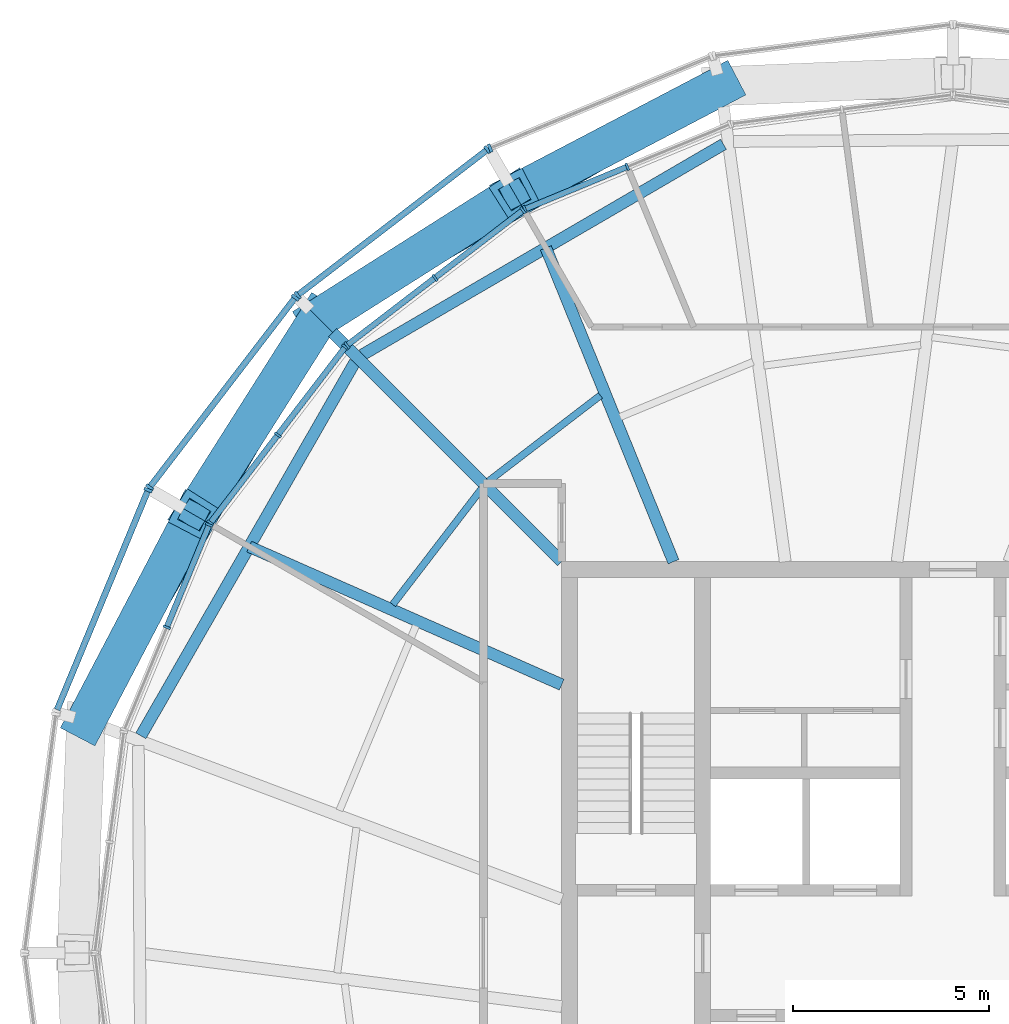
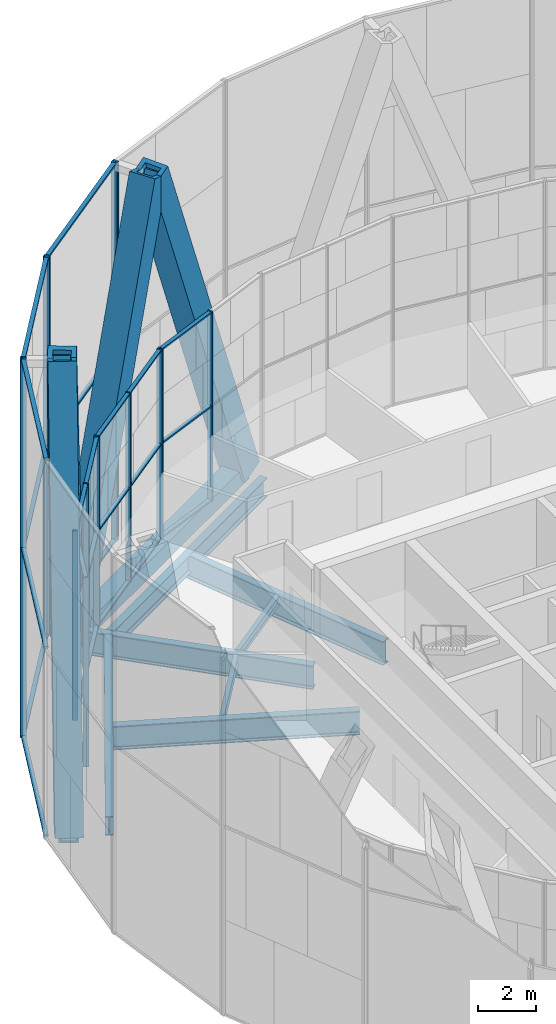
# One storey, part 6 of 22: 47 members, 9 beams, 8 elements without a shape of their own.
"""IFC4 building model written with IfcOpenShell, lengths in metres."""

from ifc_helpers import new_model, si_unit, direction, frame, origin, origin_2d, place, context, subcontext, project, spatial, rectangle, hollow_rectangle, i_section, extrude, material, material_profile, profile_set, type_object, element, aggregate, save


model = new_model("IFC4")

# Units and contexts
model_context = context("Model", 3, precision=1e-05, world=origin(), true_north=direction((0.0, 1.0)))
body_context = subcontext(model_context, "Body", "Model", "MODEL_VIEW")
ifc_project = project(units=[si_unit("LENGTHUNIT", "METRE"), si_unit("AREAUNIT", "SQUARE_METRE"), si_unit("VOLUMEUNIT", "CUBIC_METRE"), si_unit("PLANEANGLEUNIT", "RADIAN"), si_unit("MASSUNIT", "GRAM", prefix="KILO")], contexts=[model_context])

# Site, building, storey
site_placement = place(None, origin())
site = spatial("IfcSite", under=ifc_project, at=site_placement, CompositionType="ELEMENT")
building_placement = place(site_placement, origin())
building = spatial("IfcBuilding", under=site, at=building_placement, Name="Golbaran Civic Tower", CompositionType="ELEMENT")
storey_placement = place(building_placement, frame((0.0, 0.0, 264.0)))
storey = spatial("IfcBuildingStorey", under=building, at=storey_placement, Name="L64", CompositionType="ELEMENT", Elevation=264.0)

# Members
ifc_material_1 = material(Name="Steel S355", Category="steel")
ifc_material_profile_1 = material_profile(ifc_material_1, hollow_rectangle(XDim=1.0, YDim=1.0, WallThickness=0.179931640625, at=origin_2d()), Name="BOX 1000x1000x180")
ifc_profile_set_1 = profile_set([ifc_material_profile_1], Name="Steel S355")
member_type_1 = type_object("IfcMemberType", Name="DIAGRID DIAGONAL BOX 1000x1000x180", PredefinedType="BRACE", material=ifc_profile_set_1)
for number, where, z_axis, x_axis, name in (
    (1, (-5.936767578125, 22.156494140625, -0.7099609375), (-0.308371574219, -0.161566793339, 0.937445008256), (0.464094506505, -0.885785690239, 0.0), "Diagonal D15-03R L64-L68"),
    (2, (-16.2197265625, 16.2197265625, -0.7099609375), (-0.186270223703, -0.294110126675, 0.937444738184), (0.844818456458, -0.535053058703, 0.0), "Diagonal D15-04R L64-L68"),
    (3, (-16.2197265625, 16.2197265625, -0.7099609375), (0.294110126675, 0.186270223703, 0.937444738184), (-0.535053058703, 0.844818456458, 0.0), "Diagonal D15-04L L64-L68"),
    (4, (-22.156494140625, 5.936767578125, -0.7099609375), (0.161566793339, 0.308371574219, 0.937445008256), (-0.885785690239, 0.464094506505, 0.0), "Diagonal D15-05L L64-L68"),
):
    element("IfcMember", number, at=place(storey_placement, frame(where, z_axis=z_axis, x_axis=x_axis)), inside=storey, type_object=member_type_1, Name=name, PredefinedType="BRACE", context=body_context, shape_type="SweptSolid", body=[
        extrude(hollow_rectangle(XDim=1.0, YDim=1.0, WallThickness=0.179931640625, at=origin_2d()), origin(), (0.0, 0.0, 1.0), 17.067626953125),
    ])

# Beams
ifc_material_profile_2 = material_profile(ifc_material_1, hollow_rectangle(XDim=0.699951171875, YDim=0.699951171875, WallThickness=0.080078125, at=origin_2d()), Name="BOX 700x700x80")
ifc_profile_set_2 = profile_set([ifc_material_profile_2], Name="Steel S355")
beam_type_1 = type_object("IfcBeamType", Name="DIAGRID RING TIE BOX 700x700x80", PredefinedType="BEAM", material=ifc_profile_set_2)
for number, where, z_axis, x_axis, name in (
    (5, (-5.936767578125, 22.156494140625, -0.7099609375), (-0.866029107461, -0.499993584989, 0.0), (0.499993584989, -0.866029107461, 0.0), "Ring tie 105.00 L64"),
    (6, (-16.2197265625, 16.2197265625, -0.7099609375), (-0.499993584989, -0.866029107461, 0.0), (0.866029107461, -0.499993584989, 0.0), "Ring tie 135.00 L64"),
):
    element("IfcBeam", number, at=place(storey_placement, frame(where, z_axis=z_axis, x_axis=x_axis)), inside=storey, type_object=beam_type_1, Name=name, PredefinedType="BEAM", context=body_context, shape_type="SweptSolid", body=[
        extrude(hollow_rectangle(XDim=0.699951171875, YDim=0.699951171875, WallThickness=0.080078125, at=origin_2d()), origin(), (0.0, 0.0, 1.0), 11.873779296875),
    ])
ifc_material_profile_3 = material_profile(ifc_material_1, i_section(OverallWidth=0.300048828125, OverallDepth=0.800048828125, WebThickness=0.017578125, FlangeThickness=0.032958984375, FilletRadius=0.030029296875, at=origin_2d()), Name="HEB 800")
ifc_profile_set_3 = profile_set([ifc_material_profile_3], Name="Steel S355")
beam_type_2 = type_object("IfcBeamType", Name="EDGE BEAM HEB 800", PredefinedType="BEAM", material=ifc_profile_set_3)
beam_1_placement = place(storey_placement, frame((-5.865966796875, 20.669677734375, -0.60009765625), z_axis=(-0.863922987029, -0.503623939544, 0.0), x_axis=(0.503623939544, -0.863922987029, 0.0)))
element("IfcBeam", 7, at=beam_1_placement, inside=storey, type_object=beam_type_2, Name="Edge beam 105.00 L64", PredefinedType="BEAM", context=body_context, shape_type="SweptSolid", body=[
    extrude(i_section(OverallWidth=0.300048828125, OverallDepth=0.800048828125, WebThickness=0.017578125, FlangeThickness=0.032958984375, FilletRadius=0.030029296875, at=origin_2d()), origin(), (0.0, 0.0, 1.0), 10.690673828125),
])
beam_2_placement = place(storey_placement, frame((-15.284912109375, 15.10107421875, -0.60009765625), z_axis=(-0.497196700226, -0.867637851459, 0.0), x_axis=(0.867637851459, -0.497196700226, 0.0)))
element("IfcBeam", 8, at=beam_2_placement, inside=storey, type_object=beam_type_2, Name="Edge beam 135.00 L64", PredefinedType="BEAM", context=body_context, shape_type="SweptSolid", body=[
    extrude(i_section(OverallWidth=0.300048828125, OverallDepth=0.800048828125, WebThickness=0.017578125, FlangeThickness=0.032958984375, FilletRadius=0.030029296875, at=origin_2d()), origin(), (0.0, 0.0, 1.0), 11.007568359375),
])
ifc_material_profile_4 = material_profile(ifc_material_1, i_section(OverallWidth=0.179931640625, OverallDepth=0.39990234375, WebThickness=0.008544921875, FlangeThickness=0.013427734375, FilletRadius=0.02099609375, at=origin_2d()), Name="IPE 400")
ifc_profile_set_4 = profile_set([ifc_material_profile_4], Name="Steel S355")
beam_type_3 = type_object("IfcBeamType", Name="FLOOR INFILL BEAM IPE 400", PredefinedType="BEAM", material=ifc_profile_set_4)
beam_3_placement = place(storey_placement, frame((-9.011962890625, 14.250732421875, -0.39990234375), z_axis=(-0.793386142334, -0.60871867817, 0.0), x_axis=(0.60871867817, -0.793386142334, 0.0)))
element("IfcBeam", 9, at=beam_3_placement, inside=storey, type_object=beam_type_3, Name="Infill beam 127.50 L64", PredefinedType="BEAM", context=body_context, shape_type="SweptSolid", body=[
    extrude(i_section(OverallWidth=0.179931640625, OverallDepth=0.39990234375, WebThickness=0.008544921875, FlangeThickness=0.013427734375, FilletRadius=0.02099609375, at=origin_2d()), origin(), (0.0, 0.0, 1.0), 3.605224609375),
])
beam_4_placement = place(storey_placement, frame((-12.048583984375, 11.86474609375, -0.39990234375), z_axis=(-0.608732534768, -0.793375510786, 0.0), x_axis=(0.793375510786, -0.608732534768, 0.0)))
element("IfcBeam", 10, at=beam_4_placement, inside=storey, type_object=beam_type_3, Name="Infill beam 142.50 L64", PredefinedType="BEAM", context=body_context, shape_type="SweptSolid", body=[
    extrude(i_section(OverallWidth=0.179931640625, OverallDepth=0.39990234375, WebThickness=0.008544921875, FlangeThickness=0.013427734375, FilletRadius=0.02099609375, at=origin_2d()), origin(), (0.0, 0.0, 1.0), 3.728759765625),
])

# Curtain wall, members
ifc_material_2 = material(Name="Aluminium and glass", Category="aluminium")
curtain_wall_type_1 = type_object("IfcCurtainWallType", Name="INNER SKIN CURTAIN WALL EXECUTIVE", PredefinedType="NOTDEFINED", material=ifc_material_2)
curtain_wall_1_placement = place(storey_placement, origin())
curtain_wall_1 = element("IfcCurtainWall", 11, at=curtain_wall_1_placement, inside=storey, type_object=curtain_wall_type_1, Name="Inner skin L64 facet 8 CW2", ObjectType="INNER SKIN", PredefinedType="USERDEFINED")
ifc_material_3 = material(Name="Aluminium", Category="aluminium")
ifc_material_profile_5 = material_profile(ifc_material_3, rectangle(XDim=0.199951171875, YDim=0.06005859375, at=origin_2d()), Name="INNER SKIN CURTAIN WALL EXECUTIVE MULLION")
ifc_profile_set_5 = profile_set([ifc_material_profile_5], Name="Aluminium")
member_type_2 = type_object("IfcMemberType", Name="INNER SKIN CURTAIN WALL EXECUTIVE MULLION", PredefinedType="MULLION", material=ifc_profile_set_5)
member_1_placement = place(storey_placement, frame((-8.323974609375, 20.095703125, 0.0), z_axis=(0.0, 0.0, 1.0), x_axis=(0.382683432349, -0.923879532518, 0.0)))
member_1 = element("IfcMember", 12, at=member_1_placement, type_object=member_type_2, Name="CW2 mullion 2", PredefinedType="MULLION", context=body_context, shape_type="SweptSolid", body=[
    extrude(rectangle(XDim=0.199951171875, YDim=0.06005859375, at=origin_2d()), origin(), (0.0, 0.0, 1.0), 8.0),
])
member_2_placement = place(storey_placement, frame((-10.94189453125, 19.01123046875, 0.0), z_axis=(0.0, 0.0, 1.0), x_axis=(0.382683432349, -0.923879532518, 0.0)))
member_2 = element("IfcMember", 13, at=member_2_placement, type_object=member_type_2, Name="CW2 mullion 3", PredefinedType="MULLION", context=body_context, shape_type="SweptSolid", body=[
    extrude(rectangle(XDim=0.199951171875, YDim=0.06005859375, at=origin_2d()), origin(), (0.0, 0.0, 1.0), 8.0),
])

curtain_wall_2_placement = place(storey_placement, origin())
curtain_wall_2 = element("IfcCurtainWall", 14, at=curtain_wall_2_placement, inside=storey, type_object=curtain_wall_type_1, Name="Inner skin L64 facet 9 CW2", ObjectType="INNER SKIN", PredefinedType="USERDEFINED")
member_3_placement = place(storey_placement, frame((-10.993408203125, 18.9814453125, 0.0), z_axis=(0.0, 0.0, 1.0), x_axis=(0.608761429133, -0.793353340196, 0.0)))
member_3 = element("IfcMember", 15, at=member_3_placement, type_object=member_type_2, Name="CW2 mullion 1", PredefinedType="MULLION", context=body_context, shape_type="SweptSolid", body=[
    extrude(rectangle(XDim=0.199951171875, YDim=0.06005859375, at=origin_2d()), origin(), (0.0, 0.0, 1.0), 8.0),
])
member_4_placement = place(storey_placement, frame((-13.241455078125, 17.256591796875, 0.0), z_axis=(0.0, 0.0, 1.0), x_axis=(0.608761429133, -0.793353340196, 0.0)))
member_4 = element("IfcMember", 16, at=member_4_placement, type_object=member_type_2, Name="CW2 mullion 2", PredefinedType="MULLION", context=body_context, shape_type="SweptSolid", body=[
    extrude(rectangle(XDim=0.199951171875, YDim=0.06005859375, at=origin_2d()), origin(), (0.0, 0.0, 1.0), 8.0),
])
member_5_placement = place(storey_placement, frame((-15.489501953125, 15.531494140625, 0.0), z_axis=(0.0, 0.0, 1.0), x_axis=(0.608761429133, -0.793353340196, 0.0)))
member_5 = element("IfcMember", 17, at=member_5_placement, type_object=member_type_2, Name="CW2 mullion 3", PredefinedType="MULLION", context=body_context, shape_type="SweptSolid", body=[
    extrude(rectangle(XDim=0.199951171875, YDim=0.06005859375, at=origin_2d()), origin(), (0.0, 0.0, 1.0), 8.0),
])

curtain_wall_3_placement = place(storey_placement, origin())
curtain_wall_3 = element("IfcCurtainWall", 18, at=curtain_wall_3_placement, inside=storey, type_object=curtain_wall_type_1, Name="Inner skin L64 facet 10 CW2", ObjectType="INNER SKIN", PredefinedType="USERDEFINED")
member_6_placement = place(storey_placement, frame((-15.531494140625, 15.489501953125, 0.0), z_axis=(0.0, 0.0, 1.0), x_axis=(0.793353340196, -0.608761429133, 0.0)))
member_6 = element("IfcMember", 19, at=member_6_placement, type_object=member_type_2, Name="CW2 mullion 1", PredefinedType="MULLION", context=body_context, shape_type="SweptSolid", body=[
    extrude(rectangle(XDim=0.199951171875, YDim=0.06005859375, at=origin_2d()), origin(), (0.0, 0.0, 1.0), 8.0),
])
member_7_placement = place(storey_placement, frame((-17.256591796875, 13.241455078125, 0.0), z_axis=(0.0, 0.0, 1.0), x_axis=(0.793353340196, -0.608761429133, 0.0)))
member_7 = element("IfcMember", 20, at=member_7_placement, type_object=member_type_2, Name="CW2 mullion 2", PredefinedType="MULLION", context=body_context, shape_type="SweptSolid", body=[
    extrude(rectangle(XDim=0.199951171875, YDim=0.06005859375, at=origin_2d()), origin(), (0.0, 0.0, 1.0), 8.0),
])
member_8_placement = place(storey_placement, frame((-18.9814453125, 10.993408203125, 0.0), z_axis=(0.0, 0.0, 1.0), x_axis=(0.793353340196, -0.608761429133, 0.0)))
member_8 = element("IfcMember", 21, at=member_8_placement, type_object=member_type_2, Name="CW2 mullion 3", PredefinedType="MULLION", context=body_context, shape_type="SweptSolid", body=[
    extrude(rectangle(XDim=0.199951171875, YDim=0.06005859375, at=origin_2d()), origin(), (0.0, 0.0, 1.0), 8.0),
])

curtain_wall_4_placement = place(storey_placement, origin())
curtain_wall_4 = element("IfcCurtainWall", 22, at=curtain_wall_4_placement, inside=storey, type_object=curtain_wall_type_1, Name="Inner skin L64 facet 11 CW2", ObjectType="INNER SKIN", PredefinedType="USERDEFINED")
member_9_placement = place(storey_placement, frame((-19.01123046875, 10.94189453125, 0.0), z_axis=(0.0, 0.0, 1.0), x_axis=(0.923879532518, -0.382683432349, 0.0)))
member_9 = element("IfcMember", 23, at=member_9_placement, type_object=member_type_2, Name="CW2 mullion 1", PredefinedType="MULLION", context=body_context, shape_type="SweptSolid", body=[
    extrude(rectangle(XDim=0.199951171875, YDim=0.06005859375, at=origin_2d()), origin(), (0.0, 0.0, 1.0), 8.0),
])
member_10_placement = place(storey_placement, frame((-20.095703125, 8.323974609375, 0.0), z_axis=(0.0, 0.0, 1.0), x_axis=(0.923879532518, -0.382683432349, 0.0)))
member_10 = element("IfcMember", 24, at=member_10_placement, type_object=member_type_2, Name="CW2 mullion 2", PredefinedType="MULLION", context=body_context, shape_type="SweptSolid", body=[
    extrude(rectangle(XDim=0.199951171875, YDim=0.06005859375, at=origin_2d()), origin(), (0.0, 0.0, 1.0), 8.0),
])

# Member
ifc_material_profile_6 = material_profile(ifc_material_3, rectangle(XDim=0.14990234375, YDim=0.06005859375, at=origin_2d()), Name="INNER SKIN CURTAIN WALL EXECUTIVE TRANSOM")
ifc_profile_set_6 = profile_set([ifc_material_profile_6], Name="Aluminium")
member_type_3 = type_object("IfcMemberType", Name="INNER SKIN CURTAIN WALL EXECUTIVE TRANSOM", PredefinedType="USERDEFINED", material=ifc_profile_set_6)
member_11_placement = place(storey_placement, frame((-8.3515625, 20.084228515625, 0.030029296875), z_axis=(-0.923866634297, -0.382714569924, 0.0), x_axis=(0.382714569924, -0.923866634297, 0.0)))
member_11 = element("IfcMember", 25, at=member_11_placement, type_object=member_type_3, Name="CW2 transom 2.1", ObjectType="TRANSOM", PredefinedType="USERDEFINED", context=body_context, shape_type="SweptSolid", body=[
    extrude(rectangle(XDim=0.14990234375, YDim=0.06005859375, at=origin_2d()), origin(), (0.0, 0.0, 1.0), 2.773681640625),
])

member_12_placement = place(storey_placement, frame((-8.3515625, 20.084228515625, 4.0), z_axis=(-0.923866634297, -0.382714569924, 0.0), x_axis=(0.382714569924, -0.923866634297, 0.0)))
member_12 = element("IfcMember", 26, at=member_12_placement, type_object=member_type_3, Name="CW2 transom 2.2", ObjectType="TRANSOM", PredefinedType="USERDEFINED", context=body_context, shape_type="SweptSolid", body=[
    extrude(rectangle(XDim=0.14990234375, YDim=0.06005859375, at=origin_2d()), origin(), (0.0, 0.0, 1.0), 2.773681640625),
])

member_13_placement = place(storey_placement, frame((-8.3515625, 20.084228515625, 7.969970703125), z_axis=(-0.923866634297, -0.382714569924, 0.0), x_axis=(0.382714569924, -0.923866634297, 0.0)))
member_13 = element("IfcMember", 27, at=member_13_placement, type_object=member_type_3, Name="CW2 transom 2.3", ObjectType="TRANSOM", PredefinedType="USERDEFINED", context=body_context, shape_type="SweptSolid", body=[
    extrude(rectangle(XDim=0.14990234375, YDim=0.06005859375, at=origin_2d()), origin(), (0.0, 0.0, 1.0), 2.773681640625),
])

aggregate(curtain_wall_1, [member_1, member_2, member_11, member_12, member_13])

member_14_placement = place(storey_placement, frame((-11.01708984375, 18.963134765625, 0.030029296875), z_axis=(-0.793349860378, -0.608765964093, 0.0), x_axis=(0.608765964093, -0.793349860378, 0.0)))
member_14 = element("IfcMember", 28, at=member_14_placement, type_object=member_type_3, Name="CW2 transom 1.1", ObjectType="TRANSOM", PredefinedType="USERDEFINED", context=body_context, shape_type="SweptSolid", body=[
    extrude(rectangle(XDim=0.14990234375, YDim=0.06005859375, at=origin_2d()), origin(), (0.0, 0.0, 1.0), 2.773681640625),
])

member_15_placement = place(storey_placement, frame((-11.01708984375, 18.963134765625, 4.0), z_axis=(-0.793349860378, -0.608765964093, 0.0), x_axis=(0.608765964093, -0.793349860378, 0.0)))
member_15 = element("IfcMember", 29, at=member_15_placement, type_object=member_type_3, Name="CW2 transom 1.2", ObjectType="TRANSOM", PredefinedType="USERDEFINED", context=body_context, shape_type="SweptSolid", body=[
    extrude(rectangle(XDim=0.14990234375, YDim=0.06005859375, at=origin_2d()), origin(), (0.0, 0.0, 1.0), 2.773681640625),
])

member_16_placement = place(storey_placement, frame((-11.01708984375, 18.963134765625, 7.969970703125), z_axis=(-0.793349860378, -0.608765964093, 0.0), x_axis=(0.608765964093, -0.793349860378, 0.0)))
member_16 = element("IfcMember", 30, at=member_16_placement, type_object=member_type_3, Name="CW2 transom 1.3", ObjectType="TRANSOM", PredefinedType="USERDEFINED", context=body_context, shape_type="SweptSolid", body=[
    extrude(rectangle(XDim=0.14990234375, YDim=0.06005859375, at=origin_2d()), origin(), (0.0, 0.0, 1.0), 2.773681640625),
])

member_17_placement = place(storey_placement, frame((-13.26513671875, 17.23828125, 0.030029296875), z_axis=(-0.793349860378, -0.608765964093, 0.0), x_axis=(0.608765964093, -0.793349860378, 0.0)))
member_17 = element("IfcMember", 31, at=member_17_placement, type_object=member_type_3, Name="CW2 transom 2.1", ObjectType="TRANSOM", PredefinedType="USERDEFINED", context=body_context, shape_type="SweptSolid", body=[
    extrude(rectangle(XDim=0.14990234375, YDim=0.06005859375, at=origin_2d()), origin(), (0.0, 0.0, 1.0), 2.773681640625),
])

member_18_placement = place(storey_placement, frame((-13.26513671875, 17.23828125, 4.0), z_axis=(-0.793349860378, -0.608765964093, 0.0), x_axis=(0.608765964093, -0.793349860378, 0.0)))
member_18 = element("IfcMember", 32, at=member_18_placement, type_object=member_type_3, Name="CW2 transom 2.2", ObjectType="TRANSOM", PredefinedType="USERDEFINED", context=body_context, shape_type="SweptSolid", body=[
    extrude(rectangle(XDim=0.14990234375, YDim=0.06005859375, at=origin_2d()), origin(), (0.0, 0.0, 1.0), 2.773681640625),
])

member_19_placement = place(storey_placement, frame((-13.26513671875, 17.23828125, 7.969970703125), z_axis=(-0.793349860378, -0.608765964093, 0.0), x_axis=(0.608765964093, -0.793349860378, 0.0)))
member_19 = element("IfcMember", 33, at=member_19_placement, type_object=member_type_3, Name="CW2 transom 2.3", ObjectType="TRANSOM", PredefinedType="USERDEFINED", context=body_context, shape_type="SweptSolid", body=[
    extrude(rectangle(XDim=0.14990234375, YDim=0.06005859375, at=origin_2d()), origin(), (0.0, 0.0, 1.0), 2.773681640625),
])

aggregate(curtain_wall_2, [member_3, member_4, member_5, member_14, member_15, member_16, member_17, member_18, member_19])

member_20_placement = place(storey_placement, frame((-15.5498046875, 15.465576171875, 0.030029296875), z_axis=(-0.608765964093, -0.793349860378, 0.0), x_axis=(0.793349860378, -0.608765964093, 0.0)))
member_20 = element("IfcMember", 34, at=member_20_placement, type_object=member_type_3, Name="CW2 transom 1.1", ObjectType="TRANSOM", PredefinedType="USERDEFINED", context=body_context, shape_type="SweptSolid", body=[
    extrude(rectangle(XDim=0.14990234375, YDim=0.06005859375, at=origin_2d()), origin(), (0.0, 0.0, 1.0), 2.773681640625),
])

member_21_placement = place(storey_placement, frame((-15.5498046875, 15.465576171875, 4.0), z_axis=(-0.608765964093, -0.793349860378, 0.0), x_axis=(0.793349860378, -0.608765964093, 0.0)))
member_21 = element("IfcMember", 35, at=member_21_placement, type_object=member_type_3, Name="CW2 transom 1.2", ObjectType="TRANSOM", PredefinedType="USERDEFINED", context=body_context, shape_type="SweptSolid", body=[
    extrude(rectangle(XDim=0.14990234375, YDim=0.06005859375, at=origin_2d()), origin(), (0.0, 0.0, 1.0), 2.773681640625),
])

member_22_placement = place(storey_placement, frame((-15.5498046875, 15.465576171875, 7.969970703125), z_axis=(-0.608765964093, -0.793349860378, 0.0), x_axis=(0.793349860378, -0.608765964093, 0.0)))
member_22 = element("IfcMember", 36, at=member_22_placement, type_object=member_type_3, Name="CW2 transom 1.3", ObjectType="TRANSOM", PredefinedType="USERDEFINED", context=body_context, shape_type="SweptSolid", body=[
    extrude(rectangle(XDim=0.14990234375, YDim=0.06005859375, at=origin_2d()), origin(), (0.0, 0.0, 1.0), 2.773681640625),
])

member_23_placement = place(storey_placement, frame((-17.274658203125, 13.217529296875, 0.030029296875), z_axis=(-0.608765964093, -0.793349860378, 0.0), x_axis=(0.793349860378, -0.608765964093, 0.0)))
member_23 = element("IfcMember", 37, at=member_23_placement, type_object=member_type_3, Name="CW2 transom 2.1", ObjectType="TRANSOM", PredefinedType="USERDEFINED", context=body_context, shape_type="SweptSolid", body=[
    extrude(rectangle(XDim=0.14990234375, YDim=0.06005859375, at=origin_2d()), origin(), (0.0, 0.0, 1.0), 2.773681640625),
])

member_24_placement = place(storey_placement, frame((-17.274658203125, 13.217529296875, 4.0), z_axis=(-0.608765964093, -0.793349860378, 0.0), x_axis=(0.793349860378, -0.608765964093, 0.0)))
member_24 = element("IfcMember", 38, at=member_24_placement, type_object=member_type_3, Name="CW2 transom 2.2", ObjectType="TRANSOM", PredefinedType="USERDEFINED", context=body_context, shape_type="SweptSolid", body=[
    extrude(rectangle(XDim=0.14990234375, YDim=0.06005859375, at=origin_2d()), origin(), (0.0, 0.0, 1.0), 2.773681640625),
])

member_25_placement = place(storey_placement, frame((-17.274658203125, 13.217529296875, 7.969970703125), z_axis=(-0.608765964093, -0.793349860378, 0.0), x_axis=(0.793349860378, -0.608765964093, 0.0)))
member_25 = element("IfcMember", 39, at=member_25_placement, type_object=member_type_3, Name="CW2 transom 2.3", ObjectType="TRANSOM", PredefinedType="USERDEFINED", context=body_context, shape_type="SweptSolid", body=[
    extrude(rectangle(XDim=0.14990234375, YDim=0.06005859375, at=origin_2d()), origin(), (0.0, 0.0, 1.0), 2.773681640625),
])

aggregate(curtain_wall_3, [member_6, member_7, member_8, member_20, member_21, member_22, member_23, member_24, member_25])

member_26_placement = place(storey_placement, frame((-19.022705078125, 10.9140625, 0.030029296875), z_axis=(-0.382714569924, -0.923866634297, 0.0), x_axis=(0.923866634297, -0.382714569924, 0.0)))
member_26 = element("IfcMember", 40, at=member_26_placement, type_object=member_type_3, Name="CW2 transom 1.1", ObjectType="TRANSOM", PredefinedType="USERDEFINED", context=body_context, shape_type="SweptSolid", body=[
    extrude(rectangle(XDim=0.14990234375, YDim=0.06005859375, at=origin_2d()), origin(), (0.0, 0.0, 1.0), 2.773681640625),
])

member_27_placement = place(storey_placement, frame((-19.022705078125, 10.9140625, 4.0), z_axis=(-0.382714569924, -0.923866634297, 0.0), x_axis=(0.923866634297, -0.382714569924, 0.0)))
member_27 = element("IfcMember", 41, at=member_27_placement, type_object=member_type_3, Name="CW2 transom 1.2", ObjectType="TRANSOM", PredefinedType="USERDEFINED", context=body_context, shape_type="SweptSolid", body=[
    extrude(rectangle(XDim=0.14990234375, YDim=0.06005859375, at=origin_2d()), origin(), (0.0, 0.0, 1.0), 2.773681640625),
])

member_28_placement = place(storey_placement, frame((-19.022705078125, 10.9140625, 7.969970703125), z_axis=(-0.382714569924, -0.923866634297, 0.0), x_axis=(0.923866634297, -0.382714569924, 0.0)))
member_28 = element("IfcMember", 42, at=member_28_placement, type_object=member_type_3, Name="CW2 transom 1.3", ObjectType="TRANSOM", PredefinedType="USERDEFINED", context=body_context, shape_type="SweptSolid", body=[
    extrude(rectangle(XDim=0.14990234375, YDim=0.06005859375, at=origin_2d()), origin(), (0.0, 0.0, 1.0), 2.773681640625),
])

aggregate(curtain_wall_4, [member_9, member_10, member_26, member_27, member_28])

# Curtain wall, member
curtain_wall_type_2 = type_object("IfcCurtainWallType", Name="OUTER SKIN TERRACOTTA SCREEN", PredefinedType="NOTDEFINED", material=ifc_material_2)
curtain_wall_5_placement = place(storey_placement, origin())
curtain_wall_5 = element("IfcCurtainWall", 43, at=curtain_wall_5_placement, inside=storey, type_object=curtain_wall_type_2, Name="Outer skin L64 facet 8 CW3", ObjectType="OUTER SKIN", PredefinedType="USERDEFINED")
ifc_material_profile_7 = material_profile(ifc_material_3, rectangle(XDim=0.219970703125, YDim=0.080078125, at=origin_2d()), Name="OUTER SKIN TERRACOTTA SCREEN MULLION")
ifc_profile_set_7 = profile_set([ifc_material_profile_7], Name="Aluminium")
member_type_4 = type_object("IfcMemberType", Name="OUTER SKIN TERRACOTTA SCREEN MULLION", PredefinedType="MULLION", material=ifc_profile_set_7)
member_29_placement = place(storey_placement, frame((-11.83203125, 20.572998046875, -0.7099609375), z_axis=(0.0, 0.0, 1.0), x_axis=(0.382683432333, -0.923879532525, 0.0)))
member_29 = element("IfcMember", 44, at=member_29_placement, type_object=member_type_4, Name="CW3 mullion 2", PredefinedType="MULLION", context=body_context, shape_type="SweptSolid", body=[
    extrude(rectangle(XDim=0.219970703125, YDim=0.080078125, at=origin_2d()), origin(), (0.0, 0.0, 1.0), 16.0),
])
aggregate(curtain_wall_5, [member_29])

# Curtain wall, members
curtain_wall_6_placement = place(storey_placement, origin())
curtain_wall_6 = element("IfcCurtainWall", 45, at=curtain_wall_6_placement, inside=storey, type_object=curtain_wall_type_2, Name="Outer skin L64 facet 9 CW3", ObjectType="OUTER SKIN", PredefinedType="USERDEFINED")
member_30_placement = place(storey_placement, frame((-11.900634765625, 20.533447265625, -0.7099609375), z_axis=(0.0, 0.0, 1.0), x_axis=(0.608761428967, -0.793353340323, 0.0)))
member_30 = element("IfcMember", 46, at=member_30_placement, type_object=member_type_4, Name="CW3 mullion 1", PredefinedType="MULLION", context=body_context, shape_type="SweptSolid", body=[
    extrude(rectangle(XDim=0.219970703125, YDim=0.080078125, at=origin_2d()), origin(), (0.0, 0.0, 1.0), 16.0),
])
member_31_placement = place(storey_placement, frame((-16.753662109375, 16.8095703125, -0.7099609375), z_axis=(0.0, 0.0, 1.0), x_axis=(0.608761428967, -0.793353340323, 0.0)))
member_31 = element("IfcMember", 47, at=member_31_placement, type_object=member_type_4, Name="CW3 mullion 2", PredefinedType="MULLION", context=body_context, shape_type="SweptSolid", body=[
    extrude(rectangle(XDim=0.219970703125, YDim=0.080078125, at=origin_2d()), origin(), (0.0, 0.0, 1.0), 16.0),
])

curtain_wall_7_placement = place(storey_placement, origin())
curtain_wall_7 = element("IfcCurtainWall", 48, at=curtain_wall_7_placement, inside=storey, type_object=curtain_wall_type_2, Name="Outer skin L64 facet 10 CW3", ObjectType="OUTER SKIN", PredefinedType="USERDEFINED")
member_32_placement = place(storey_placement, frame((-16.8095703125, 16.753662109375, -0.7099609375), z_axis=(0.0, 0.0, 1.0), x_axis=(0.793353340323, -0.608761428967, 0.0)))
member_32 = element("IfcMember", 49, at=member_32_placement, type_object=member_type_4, Name="CW3 mullion 1", PredefinedType="MULLION", context=body_context, shape_type="SweptSolid", body=[
    extrude(rectangle(XDim=0.219970703125, YDim=0.080078125, at=origin_2d()), origin(), (0.0, 0.0, 1.0), 16.0),
])
member_33_placement = place(storey_placement, frame((-20.533447265625, 11.900634765625, -0.7099609375), z_axis=(0.0, 0.0, 1.0), x_axis=(0.793353340323, -0.608761428967, 0.0)))
member_33 = element("IfcMember", 50, at=member_33_placement, type_object=member_type_4, Name="CW3 mullion 2", PredefinedType="MULLION", context=body_context, shape_type="SweptSolid", body=[
    extrude(rectangle(XDim=0.219970703125, YDim=0.080078125, at=origin_2d()), origin(), (0.0, 0.0, 1.0), 16.0),
])

# Curtain wall, member
curtain_wall_8_placement = place(storey_placement, origin())
curtain_wall_8 = element("IfcCurtainWall", 51, at=curtain_wall_8_placement, inside=storey, type_object=curtain_wall_type_2, Name="Outer skin L64 facet 11 CW3", ObjectType="OUTER SKIN", PredefinedType="USERDEFINED")
member_34_placement = place(storey_placement, frame((-20.572998046875, 11.83203125, -0.7099609375), z_axis=(0.0, 0.0, 1.0), x_axis=(0.923879532525, -0.382683432333, 0.0)))
member_34 = element("IfcMember", 52, at=member_34_placement, type_object=member_type_4, Name="CW3 mullion 1", PredefinedType="MULLION", context=body_context, shape_type="SweptSolid", body=[
    extrude(rectangle(XDim=0.219970703125, YDim=0.080078125, at=origin_2d()), origin(), (0.0, 0.0, 1.0), 16.0),
])

# Member
ifc_material_profile_8 = material_profile(ifc_material_3, rectangle(XDim=0.159912109375, YDim=0.080078125, at=origin_2d()), Name="OUTER SKIN TERRACOTTA SCREEN TRANSOM")
ifc_profile_set_8 = profile_set([ifc_material_profile_8], Name="Aluminium")
member_type_5 = type_object("IfcMemberType", Name="OUTER SKIN TERRACOTTA SCREEN TRANSOM", PredefinedType="USERDEFINED", material=ifc_profile_set_8)
member_35_placement = place(storey_placement, frame((-11.932373046875, 20.509033203125, -0.669921875), z_axis=(-0.793361559952, -0.608750716789, 0.0), x_axis=(0.608750716789, -0.793361559952, 0.0)))
member_35 = element("IfcMember", 53, at=member_35_placement, type_object=member_type_5, Name="CW3 transom 1.1", ObjectType="TRANSOM", PredefinedType="USERDEFINED", context=body_context, shape_type="SweptSolid", body=[
    extrude(rectangle(XDim=0.159912109375, YDim=0.080078125, at=origin_2d()), origin(), (0.0, 0.0, 1.0), 6.037109375),
])

member_36_placement = place(storey_placement, frame((-11.932373046875, 20.509033203125, 7.2900390625), z_axis=(-0.793361559952, -0.608750716789, 0.0), x_axis=(0.608750716789, -0.793361559952, 0.0)))
member_36 = element("IfcMember", 54, at=member_36_placement, type_object=member_type_5, Name="CW3 transom 1.2", ObjectType="TRANSOM", PredefinedType="USERDEFINED", context=body_context, shape_type="SweptSolid", body=[
    extrude(rectangle(XDim=0.159912109375, YDim=0.080078125, at=origin_2d()), origin(), (0.0, 0.0, 1.0), 6.037109375),
])

member_37_placement = place(storey_placement, frame((-11.932373046875, 20.509033203125, 15.25), z_axis=(-0.793361559952, -0.608750716789, 0.0), x_axis=(0.608750716789, -0.793361559952, 0.0)))
member_37 = element("IfcMember", 55, at=member_37_placement, type_object=member_type_5, Name="CW3 transom 1.3", ObjectType="TRANSOM", PredefinedType="USERDEFINED", context=body_context, shape_type="SweptSolid", body=[
    extrude(rectangle(XDim=0.159912109375, YDim=0.080078125, at=origin_2d()), origin(), (0.0, 0.0, 1.0), 6.037109375),
])

aggregate(curtain_wall_6, [member_30, member_31, member_35, member_36, member_37])

member_38_placement = place(storey_placement, frame((-16.833984375, 16.721923828125, -0.669921875), z_axis=(-0.608750716789, -0.793361559952, 0.0), x_axis=(0.793361559952, -0.608750716789, 0.0)))
member_38 = element("IfcMember", 56, at=member_38_placement, type_object=member_type_5, Name="CW3 transom 1.1", ObjectType="TRANSOM", PredefinedType="USERDEFINED", context=body_context, shape_type="SweptSolid", body=[
    extrude(rectangle(XDim=0.159912109375, YDim=0.080078125, at=origin_2d()), origin(), (0.0, 0.0, 1.0), 6.037109375),
])

member_39_placement = place(storey_placement, frame((-16.833984375, 16.721923828125, 7.2900390625), z_axis=(-0.608750716789, -0.793361559952, 0.0), x_axis=(0.793361559952, -0.608750716789, 0.0)))
member_39 = element("IfcMember", 57, at=member_39_placement, type_object=member_type_5, Name="CW3 transom 1.2", ObjectType="TRANSOM", PredefinedType="USERDEFINED", context=body_context, shape_type="SweptSolid", body=[
    extrude(rectangle(XDim=0.159912109375, YDim=0.080078125, at=origin_2d()), origin(), (0.0, 0.0, 1.0), 6.037109375),
])

member_40_placement = place(storey_placement, frame((-16.833984375, 16.721923828125, 15.25), z_axis=(-0.608750716789, -0.793361559952, 0.0), x_axis=(0.793361559952, -0.608750716789, 0.0)))
member_40 = element("IfcMember", 58, at=member_40_placement, type_object=member_type_5, Name="CW3 transom 1.3", ObjectType="TRANSOM", PredefinedType="USERDEFINED", context=body_context, shape_type="SweptSolid", body=[
    extrude(rectangle(XDim=0.159912109375, YDim=0.080078125, at=origin_2d()), origin(), (0.0, 0.0, 1.0), 6.037109375),
])

aggregate(curtain_wall_7, [member_32, member_33, member_38, member_39, member_40])

member_41_placement = place(storey_placement, frame((-20.58837890625, 11.795166015625, -0.669921875), z_axis=(-0.382658963964, -0.923889667275, 0.0), x_axis=(0.923889667275, -0.382658963964, 0.0)))
member_41 = element("IfcMember", 59, at=member_41_placement, type_object=member_type_5, Name="CW3 transom 1.1", ObjectType="TRANSOM", PredefinedType="USERDEFINED", context=body_context, shape_type="SweptSolid", body=[
    extrude(rectangle(XDim=0.159912109375, YDim=0.080078125, at=origin_2d()), origin(), (0.0, 0.0, 1.0), 6.036865234375),
])

member_42_placement = place(storey_placement, frame((-20.58837890625, 11.795166015625, 7.2900390625), z_axis=(-0.382658963964, -0.923889667275, 0.0), x_axis=(0.923889667275, -0.382658963964, 0.0)))
member_42 = element("IfcMember", 60, at=member_42_placement, type_object=member_type_5, Name="CW3 transom 1.2", ObjectType="TRANSOM", PredefinedType="USERDEFINED", context=body_context, shape_type="SweptSolid", body=[
    extrude(rectangle(XDim=0.159912109375, YDim=0.080078125, at=origin_2d()), origin(), (0.0, 0.0, 1.0), 6.036865234375),
])

member_43_placement = place(storey_placement, frame((-20.58837890625, 11.795166015625, 15.25), z_axis=(-0.382658963964, -0.923889667275, 0.0), x_axis=(0.923889667275, -0.382658963964, 0.0)))
member_43 = element("IfcMember", 61, at=member_43_placement, type_object=member_type_5, Name="CW3 transom 1.3", ObjectType="TRANSOM", PredefinedType="USERDEFINED", context=body_context, shape_type="SweptSolid", body=[
    extrude(rectangle(XDim=0.159912109375, YDim=0.080078125, at=origin_2d()), origin(), (0.0, 0.0, 1.0), 6.036865234375),
])

aggregate(curtain_wall_8, [member_34, member_41, member_42, member_43])

# Beams
ifc_material_profile_9 = material_profile(ifc_material_1, i_section(OverallWidth=0.300048828125, OverallDepth=1.0, WebThickness=0.01904296875, FlangeThickness=0.035888671875, FilletRadius=0.030029296875, at=origin_2d()), Name="HEB 1000")
ifc_profile_set_9 = profile_set([ifc_material_profile_9], Name="Steel S355")
beam_type_4 = type_object("IfcBeamType", Name="RADIAL FLOOR BEAM HEB 1000", PredefinedType="BEAM", material=ifc_profile_set_9)
beam_5_placement = place(storey_placement, frame((-10.0, 10.0, -0.7099609375), z_axis=(-0.707106781187, 0.707106781187, 0.0), x_axis=(-0.707106781187, -0.707106781187, 0.0)))
element("IfcBeam", 62, at=beam_5_placement, inside=storey, type_object=beam_type_4, Name="Radial beam 135.00 L64", PredefinedType="BEAM", context=body_context, shape_type="SweptSolid", body=[
    extrude(i_section(OverallWidth=0.300048828125, OverallDepth=1.0, WebThickness=0.01904296875, FlangeThickness=0.035888671875, FilletRadius=0.030029296875, at=origin_2d()), origin(), (0.0, 0.0, 1.0), 8.283203125),
])
ifc_material_profile_10 = material_profile(ifc_material_1, i_section(OverallWidth=0.300048828125, OverallDepth=1.0, WebThickness=0.01904296875, FlangeThickness=0.035888671875, FilletRadius=0.030029296875, at=origin_2d()), Name="HEB 1000")
ifc_profile_set_10 = profile_set([ifc_material_profile_10], Name="Steel S355")
beam_type_5 = type_object("IfcBeamType", Name="SECONDARY FLOOR BEAM HEB 1000", PredefinedType="BEAM", material=ifc_profile_set_10)
beam_6_placement = place(storey_placement, frame((-7.142822265625, 10.0, -0.7099609375), z_axis=(-0.376725571532, 0.926324912627, 0.0), x_axis=(-0.926324912627, -0.376725571532, 0.0)))
element("IfcBeam", 63, at=beam_6_placement, inside=storey, type_object=beam_type_5, Name="Secondary beam 120.00 L64", PredefinedType="BEAM", context=body_context, shape_type="SweptSolid", body=[
    extrude(i_section(OverallWidth=0.300048828125, OverallDepth=1.0, WebThickness=0.01904296875, FlangeThickness=0.035888671875, FilletRadius=0.030029296875, at=origin_2d()), origin(), (0.0, 0.0, 1.0), 8.661376953125),
])
beam_7_placement = place(storey_placement, frame((-10.0, 6.857177734375, -0.7099609375), z_axis=(-0.914747650754, 0.404025661859, 0.0), x_axis=(-0.404025661859, -0.914747650754, 0.0)))
element("IfcBeam", 64, at=beam_7_placement, inside=storey, type_object=beam_type_5, Name="Secondary beam 150.00 L64", PredefinedType="BEAM", context=body_context, shape_type="SweptSolid", body=[
    extrude(i_section(OverallWidth=0.300048828125, OverallDepth=1.0, WebThickness=0.01904296875, FlangeThickness=0.035888671875, FilletRadius=0.030029296875, at=origin_2d()), origin(), (0.0, 0.0, 1.0), 8.731689453125),
])

save(model, "model.ifc")
